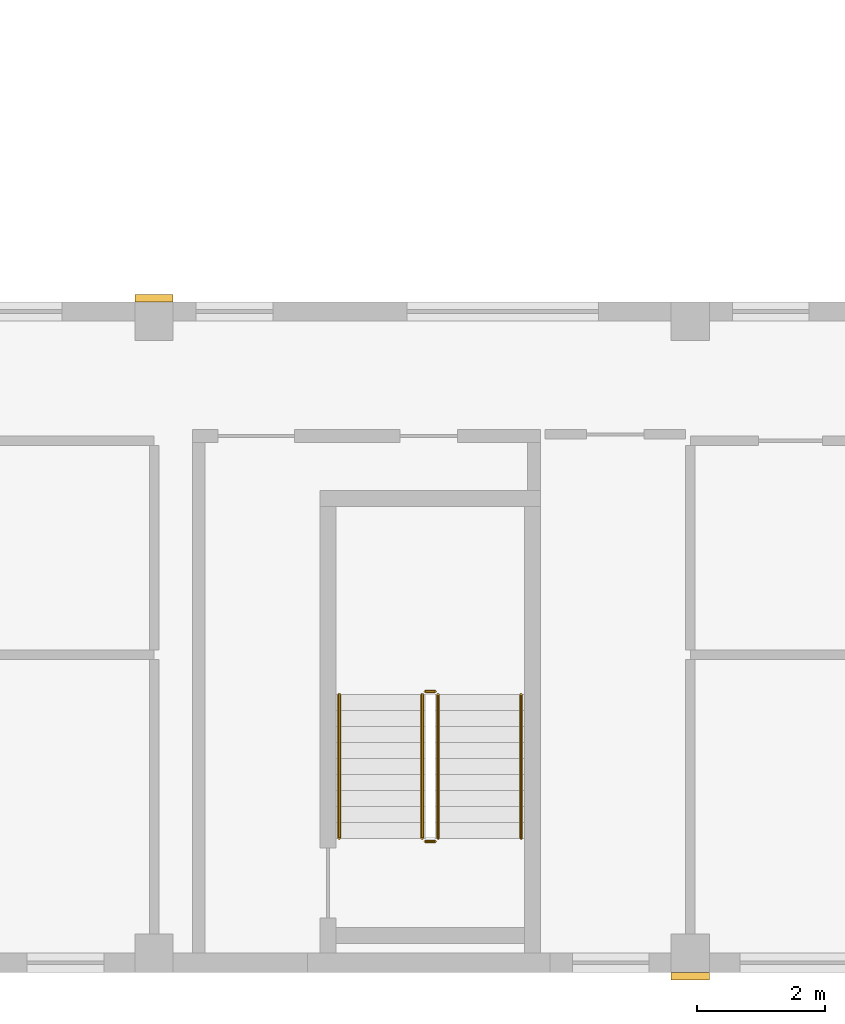
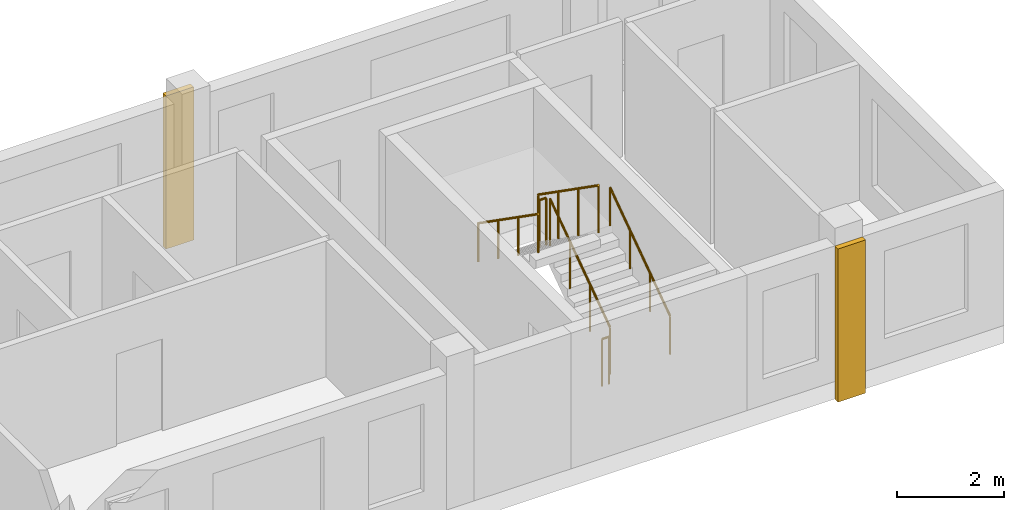
# One storey, part 9 of 10: 6 railings, 2 coverings.
"""IFC4 building model written with IfcOpenShell, lengths in metres."""

import ifcopenshell
import ifcopenshell.guid

model = None  # the IFC model being written
_history = None  # IfcOwnerHistory: only IFC2X3 demands one
_inside = {}  # id of a spatial element -> (the spatial element, [elements in it])
_under = {}  # id of a project, library or spatial element -> (it, [spatial elements below it])
_declared = {}  # id of a project -> (the project, [libraries it declares])
_typed = {}  # id of a type object -> (the type object, [elements of that type])
_made_of = {}  # id of a material, layer set ... -> (it, [elements and type objects made of it])


def new_model(schema):
    """Start an empty IFC model of exactly this schema.

    Asked for "IFC4X3", IfcOpenShell would pick the latest addendum, in which some entities
    have other attributes; the version numbers below select the first issue.
    IFC2X3 requires an IfcOwnerHistory on every rooted entity: one is made here for all.
    """
    global model, _history
    if schema == "IFC4X3":
        model = ifcopenshell.file(schema_version=(4, 3, 0, 0))
    else:
        model = ifcopenshell.file(schema=schema)
    _inside.clear()
    _under.clear()
    _declared.clear()
    _typed.clear()
    _made_of.clear()
    _history = None
    if model.schema == "IFC2X3":
        org = make("IfcOrganization", Name="unknown")
        user = make(
            "IfcPersonAndOrganization",
            ThePerson=make("IfcPerson", FamilyName="unknown"),
            TheOrganization=org,
        )
        app = make(
            "IfcApplication",
            ApplicationDeveloper=org,
            Version="unknown",
            ApplicationFullName="unknown",
            ApplicationIdentifier="unknown",
        )
        _history = make(
            "IfcOwnerHistory",
            OwningUser=user,
            OwningApplication=app,
            ChangeAction="ADDED",
            CreationDate=0,
        )
    return model


def make(cls, **values):
    """One entity of the class cls with the attributes given. An attribute that is None is left unset."""
    return model.create_entity(
        cls, **{name: value for name, value in values.items() if value is not None}
    )


def rooted(cls, **values):
    """An entity with a GlobalId (a new one), such as an element, a storey or a relation."""
    return make(cls, GlobalId=ifcopenshell.guid.new(), OwnerHistory=_history, **values)


def si_unit(unit_type, name, prefix=None):
    """IfcSIUnit, for example si_unit("LENGTHUNIT", "METRE", prefix="MILLI")."""
    return make("IfcSIUnit", UnitType=unit_type, Prefix=prefix, Name=name)


def assignment(units):
    """IfcUnitAssignment: the units of a project."""
    return None if units is None else make("IfcUnitAssignment", Units=units)


def point(xyz):
    """IfcCartesianPoint."""
    return None if xyz is None else make("IfcCartesianPoint", Coordinates=xyz)


def direction(xyz):
    """IfcDirection."""
    return None if xyz is None else make("IfcDirection", DirectionRatios=xyz)


def frame(location, z_axis=None, x_axis=None):
    """IfcAxis2Placement3D, a coordinate frame: its origin and axes. An axis left out is left unset."""
    return make(
        "IfcAxis2Placement3D",
        Location=point(location),
        Axis=direction(z_axis),
        RefDirection=direction(x_axis),
    )


def frame_2d(location, x_axis=None):
    """IfcAxis2Placement2D, a coordinate frame in the plane: its origin and x axis."""
    return make(
        "IfcAxis2Placement2D", Location=point(location), RefDirection=direction(x_axis)
    )


def origin():
    """The frame at (0, 0, 0) with its axes left unset."""
    return frame((0.0, 0.0, 0.0))


def origin_2d():
    """The frame at (0, 0) in the plane with its x axis left unset."""
    return frame_2d((0.0, 0.0))


def place(relative_to, where):
    """IfcLocalPlacement: puts the frame where relative to a parent placement (None: the world)."""
    return make(
        "IfcLocalPlacement", PlacementRelTo=relative_to, RelativePlacement=where
    )


def context(
    kind, dimensions, precision=None, world=None, true_north=None, identifier=None
):
    """IfcGeometricRepresentationContext, for example the 3D "Model" context."""
    return make(
        "IfcGeometricRepresentationContext",
        ContextIdentifier=identifier,
        ContextType=kind,
        CoordinateSpaceDimension=dimensions,
        Precision=precision,
        WorldCoordinateSystem=world,
        TrueNorth=true_north,
    )


def subcontext(parent, identifier, kind, view, scale=None):
    """IfcGeometricRepresentationSubContext, for example "Body" below "Model"."""
    return make(
        "IfcGeometricRepresentationSubContext",
        ContextIdentifier=identifier,
        ContextType=kind,
        ParentContext=parent,
        TargetScale=scale,
        TargetView=view,
    )


def project(units=None, contexts=None):
    """IfcProject with its units and contexts."""
    return rooted(
        "IfcProject",
        Name="project",
        RepresentationContexts=contexts,
        UnitsInContext=assignment(units),
    )


def spatial(cls, under=None, at=None, **own):
    """A site, building, storey or space (cls), placed at a placement, below another one or the project."""
    s = rooted(cls, ObjectPlacement=at, **own)
    if under is not None:
        _under.setdefault(under.id(), (under, []))[1].append(s)
    return s


def profile(cls, at=None, kind="AREA", **sizes):
    """A parametric profile (cls). Its sizes go by their IFC names, for example OverallWidth=200.0."""
    return make(cls, ProfileType=kind, Position=at, **sizes)


def rectangle(**sizes):
    """IfcRectangleProfileDef."""
    return profile("IfcRectangleProfileDef", **sizes)


def circle(**sizes):
    """IfcCircleProfileDef."""
    return profile("IfcCircleProfileDef", **sizes)


def extrude(swept, where, along, depth):
    """IfcExtrudedAreaSolid: the profile swept, set in the frame where, extruded along a direction by depth."""
    return make(
        "IfcExtrudedAreaSolid",
        SweptArea=swept,
        Position=where,
        ExtrudedDirection=direction(along),
        Depth=depth,
    )


def shape(context_of_items, identifier, shape_type, items):
    """IfcShapeRepresentation: the items that make up one representation, for example the "Body"."""
    return make(
        "IfcShapeRepresentation",
        ContextOfItems=context_of_items,
        RepresentationIdentifier=identifier,
        RepresentationType=shape_type,
        Items=items,
    )


def source(mapping_origin, context_of_items, identifier, shape_type, items):
    """IfcRepresentationMap: a shape defined once, which mapped items show again and again."""
    return make(
        "IfcRepresentationMap",
        MappingOrigin=mapping_origin,
        MappedRepresentation=shape(context_of_items, identifier, shape_type, items),
    )


def transform(
    local_origin,
    x_axis=None,
    y_axis=None,
    z_axis=None,
    scale=None,
    scale2=None,
    scale3=None,
    uniform=True,
):
    """IfcCartesianTransformationOperator3D, or its non-uniform kind. x_axis, y_axis, z_axis: its Axis1, 2, 3."""
    if uniform:
        return make(
            "IfcCartesianTransformationOperator3D",
            Axis1=direction(x_axis),
            Axis2=direction(y_axis),
            LocalOrigin=point(local_origin),
            Scale=scale,
            Axis3=direction(z_axis),
        )
    return make(
        "IfcCartesianTransformationOperator3DnonUniform",
        Axis1=direction(x_axis),
        Axis2=direction(y_axis),
        LocalOrigin=point(local_origin),
        Scale=scale,
        Axis3=direction(z_axis),
        Scale2=scale2,
        Scale3=scale3,
    )


def mapped(mapping_source, mapping_target):
    """IfcMappedItem: shows the shape of a source again, moved by a transform."""
    return make(
        "IfcMappedItem", MappingSource=mapping_source, MappingTarget=mapping_target
    )


def material(Name=None, Category=None):
    """IfcMaterial."""
    return make("IfcMaterial", Name=Name, Category=Category)


def made_of(thing, what):
    """Note that an element or type object is made of a material, layer set ...; save() writes the relation."""
    if what is not None:
        _made_of.setdefault(what.id(), (what, []))[1].append(thing)
    return thing


def type_object(cls, material=None, **own):
    """A type object (cls), such as IfcWallType, which elements share."""
    return made_of(rooted(cls, **own), material)


def element(
    cls,
    number,
    at=None,
    inside=None,
    cuts=None,
    type_object=None,
    material=None,
    context=None,
    identifier="Body",
    shape_type=None,
    held_by="IfcProductDefinitionShape",
    body=None,
    shapes=None,
    **own,
):
    """One element of the class cls, such as IfcWall. Its Tag is "e" and its number.

    at: its placement. inside: the storey or other place that contains it. cuts: it is an
    opening in that element (IfcRelVoidsElement). A single representation is given by context,
    identifier, shape_type and body (its items); several are given by shapes. held_by: the class
    of the entity that holds the representations. save() writes the other relations.
    """
    e = rooted(cls, Tag="e%d" % number, ObjectPlacement=at, **own)
    if body is not None:
        shapes = [shape(context, identifier, shape_type, body)]
    if shapes is not None:
        e.Representation = make(held_by, Representations=shapes)
    if inside is not None:
        _inside.setdefault(inside.id(), (inside, []))[1].append(e)
    if cuts is not None:
        rooted(
            "IfcRelVoidsElement", RelatingBuildingElement=cuts, RelatedOpeningElement=e
        )
    if type_object is not None:
        _typed.setdefault(type_object.id(), (type_object, []))[1].append(e)
    return made_of(e, material)


def aggregate(whole, parts):
    """IfcRelAggregates: a whole, such as a stair, and the parts it consists of."""
    return rooted("IfcRelAggregates", RelatingObject=whole, RelatedObjects=parts)


def save(model, path):
    """Write the relations noted so far, then the file.

    IfcRelAggregates (storeys below a building ...), IfcRelContainedInSpatialStructure (elements
    in a storey), IfcRelDefinesByType, IfcRelAssociatesMaterial and IfcRelDeclares: one each for
    every whole, place, type object, material and project.
    """
    for whole, parts in _under.values():
        aggregate(whole, parts)
    for where, things in _inside.values():
        rooted(
            "IfcRelContainedInSpatialStructure",
            RelatedElements=things,
            RelatingStructure=where,
        )
    for kind, things in _typed.values():
        rooted("IfcRelDefinesByType", RelatedObjects=things, RelatingType=kind)
    for what, things in _made_of.values():
        rooted("IfcRelAssociatesMaterial", RelatedObjects=things, RelatingMaterial=what)
    for by, libraries in _declared.values():
        rooted("IfcRelDeclares", RelatingContext=by, RelatedDefinitions=libraries)
    model.write(path)


model = new_model("IFC4")

# Units and contexts
model_context = context("Model", 3, precision=1e-05, world=origin(), true_north=direction((0.0, 1.0)))
body_context = subcontext(model_context, "Body", "Model", "MODEL_VIEW")
ifc_project = project(units=[si_unit("LENGTHUNIT", "METRE"), si_unit("AREAUNIT", "SQUARE_METRE"), si_unit("VOLUMEUNIT", "CUBIC_METRE"), si_unit("PLANEANGLEUNIT", "RADIAN"), si_unit("MASSUNIT", "GRAM", prefix="KILO")], contexts=[model_context])

# Site, building, storey
site_placement = place(None, origin())
site = spatial("IfcSite", under=ifc_project, at=site_placement, CompositionType="ELEMENT")
building_placement = place(site_placement, origin())
building = spatial("IfcBuilding", under=site, at=building_placement, Name="Aurelian Terraces", CompositionType="ELEMENT")
storey_placement = place(building_placement, frame((0.0, 0.0, 358.0)))
storey = spatial("IfcBuildingStorey", under=building, at=storey_placement, Name="L85", CompositionType="ELEMENT", Elevation=358.0)

# Coverings
ifc_material_1 = material(Name="Terracotta rainscreen cladding relief", Category="masonry")
covering_type = type_object("IfcCoveringType", Name="BAGUETTE-TC", PredefinedType="CLADDING", material=ifc_material_1)
shared_shape_1 = source(origin(), body_context, "Body", "SweptSolid", [
    extrude(rectangle(XDim=0.6, YDim=0.12, at=origin_2d()), origin(), (0.0, 0.0, 1.0), 3.5),
])
for number, where, z_axis, x_axis, name in (
    (1, (46.2, -0.06, -0.4), (0.0, 0.0, 1.0), (1.0, 0.0, 0.0), "BAGUETTE pier L85 3"),
    (2, (37.8, 10.56, -0.4), (0.0, 0.0, 1.0), (1.0, 0.0, 0.0), "BAGUETTE pier L85 4"),
):
    element("IfcCovering", number, at=place(storey_placement, frame(where, z_axis=z_axis, x_axis=x_axis)), inside=storey, type_object=covering_type, Name=name, PredefinedType="CLADDING", context=body_context, shape_type="MappedRepresentation", body=[
        mapped(shared_shape_1, transform((0.0, 0.0, 0.0), scale=1.0)),
    ])

# Railings
ifc_material_2 = material(Name="Stainless steel", Category="steel")
railing_type_1 = type_object("IfcRailingType", Name="Stair guard 1100", PredefinedType="GUARDRAIL", material=ifc_material_2)
shared_shape_2 = source(origin(), body_context, "Body", "SweptSolid", [
    extrude(circle(Radius=0.024, at=origin_2d()), frame((0.0, 0.0, 1.076), z_axis=(-1.0, 0.0, 0.0), x_axis=(0.0, -1.0, 0.0)), (0.0, 0.0, 1.0), 0.15),
    extrude(circle(Radius=0.021, at=origin_2d()), origin(), (0.0, 0.0, 1.0), 1.052),
    extrude(circle(Radius=0.021, at=origin_2d()), frame((-0.15, 0.0, 0.0)), (0.0, 0.0, 1.0), 1.052),
])
for number, where, name in (
    (3, (42.2, 4.4, 1.75), "L85 S2 stair guard 2"),
    (4, (42.2, 2.05, 0.0), "L85 S2 stair guard 4"),
):
    element("IfcRailing", number, at=place(storey_placement, frame(where)), inside=storey, type_object=railing_type_1, Name=name, PredefinedType="GUARDRAIL", context=body_context, shape_type="MappedRepresentation", body=[
        mapped(shared_shape_2, transform((0.0, 0.0, 0.0), scale=1.0)),
    ])
shared_shape_3 = source(origin(), body_context, "Body", "SweptSolid", [
    extrude(circle(Radius=0.024, at=origin_2d()), frame((0.0, 0.0, 1.076), z_axis=(0.0, 0.819231920519, 0.573462344363), x_axis=(-1.0, 0.0, 0.0)), (0.0, 0.0, 1.0), 2.7465),
    extrude(circle(Radius=0.021, at=origin_2d()), origin(), (0.0, 0.0, 1.0), 1.052),
    extrude(circle(Radius=0.021, at=origin_2d()), frame((0.0, 0.75, 0.525)), (0.0, 0.0, 1.0), 1.052),
    extrude(circle(Radius=0.021, at=origin_2d()), frame((0.0, 1.5, 1.05)), (0.0, 0.0, 1.0), 1.052),
    extrude(circle(Radius=0.021, at=origin_2d()), frame((0.0, 2.25, 1.575)), (0.0, 0.0, 1.0), 1.052),
])
railing_1_placement = place(storey_placement, frame((42.25, 2.1, 0.175)))
element("IfcRailing", 5, at=railing_1_placement, inside=storey, type_object=railing_type_1, Name="L85 S2 stair guard 1", PredefinedType="GUARDRAIL", context=body_context, shape_type="MappedRepresentation", body=[
    mapped(shared_shape_3, transform((0.0, 0.0, 0.0), scale=1.0)),
])
shared_shape_4 = source(origin(), body_context, "Body", "SweptSolid", [
    extrude(circle(Radius=0.024, at=origin_2d()), frame((0.0, 0.0, 1.076), z_axis=(0.0, -0.819231920519, 0.573462344363), x_axis=(1.0, 0.0, 0.0)), (0.0, 0.0, 1.0), 2.7465),
    extrude(circle(Radius=0.021, at=origin_2d()), origin(), (0.0, 0.0, 1.0), 1.052),
    extrude(circle(Radius=0.021, at=origin_2d()), frame((0.0, -0.75, 0.525)), (0.0, 0.0, 1.0), 1.052),
    extrude(circle(Radius=0.021, at=origin_2d()), frame((0.0, -1.5, 1.05)), (0.0, 0.0, 1.0), 1.052),
    extrude(circle(Radius=0.021, at=origin_2d()), frame((0.0, -2.25, 1.575)), (0.0, 0.0, 1.0), 1.052),
])
railing_2_placement = place(storey_placement, frame((42.0, 4.35, 1.925)))
element("IfcRailing", 6, at=railing_2_placement, inside=storey, type_object=railing_type_1, Name="L85 S2 stair guard 3", PredefinedType="GUARDRAIL", context=body_context, shape_type="MappedRepresentation", body=[
    mapped(shared_shape_4, transform((0.0, 0.0, 0.0), scale=1.0)),
])
railing_type_2 = type_object("IfcRailingType", Name="Stair handrail", PredefinedType="HANDRAIL", material=ifc_material_2)
shared_shape_5 = source(origin(), body_context, "Body", "SweptSolid", [
    extrude(circle(Radius=0.024, at=origin_2d()), frame((0.0, 0.0, 0.876), z_axis=(0.0, 0.819231920519, 0.573462344363), x_axis=(-1.0, 0.0, 0.0)), (0.0, 0.0, 1.0), 2.7465),
    extrude(circle(Radius=0.021, at=origin_2d()), origin(), (0.0, 0.0, 1.0), 0.852),
    extrude(circle(Radius=0.021, at=origin_2d()), frame((0.0, 0.75, 0.525)), (0.0, 0.0, 1.0), 0.852),
    extrude(circle(Radius=0.021, at=origin_2d()), frame((0.0, 1.5, 1.05)), (0.0, 0.0, 1.0), 0.852),
    extrude(circle(Radius=0.021, at=origin_2d()), frame((0.0, 2.25, 1.575)), (0.0, 0.0, 1.0), 0.852),
])
railing_3_placement = place(storey_placement, frame((43.55, 2.1, 0.175)))
element("IfcRailing", 7, at=railing_3_placement, inside=storey, type_object=railing_type_2, Name="L85 S2 stair handrail 1", PredefinedType="HANDRAIL", context=body_context, shape_type="MappedRepresentation", body=[
    mapped(shared_shape_5, transform((0.0, 0.0, 0.0), scale=1.0)),
])
shared_shape_6 = source(origin(), body_context, "Body", "SweptSolid", [
    extrude(circle(Radius=0.024, at=origin_2d()), frame((0.0, 0.0, 0.876), z_axis=(0.0, -0.819231920519, 0.573462344363), x_axis=(1.0, 0.0, 0.0)), (0.0, 0.0, 1.0), 2.7465),
    extrude(circle(Radius=0.021, at=origin_2d()), origin(), (0.0, 0.0, 1.0), 0.852),
    extrude(circle(Radius=0.021, at=origin_2d()), frame((0.0, -0.75, 0.525)), (0.0, 0.0, 1.0), 0.852),
    extrude(circle(Radius=0.021, at=origin_2d()), frame((0.0, -1.5, 1.05)), (0.0, 0.0, 1.0), 0.852),
    extrude(circle(Radius=0.021, at=origin_2d()), frame((0.0, -2.25, 1.575)), (0.0, 0.0, 1.0), 0.852),
])
railing_4_placement = place(storey_placement, frame((40.7, 4.35, 1.925)))
element("IfcRailing", 8, at=railing_4_placement, inside=storey, type_object=railing_type_2, Name="L85 S2 stair handrail 2", PredefinedType="HANDRAIL", context=body_context, shape_type="MappedRepresentation", body=[
    mapped(shared_shape_6, transform((0.0, 0.0, 0.0), scale=1.0)),
])

save(model, "model.ifc")
